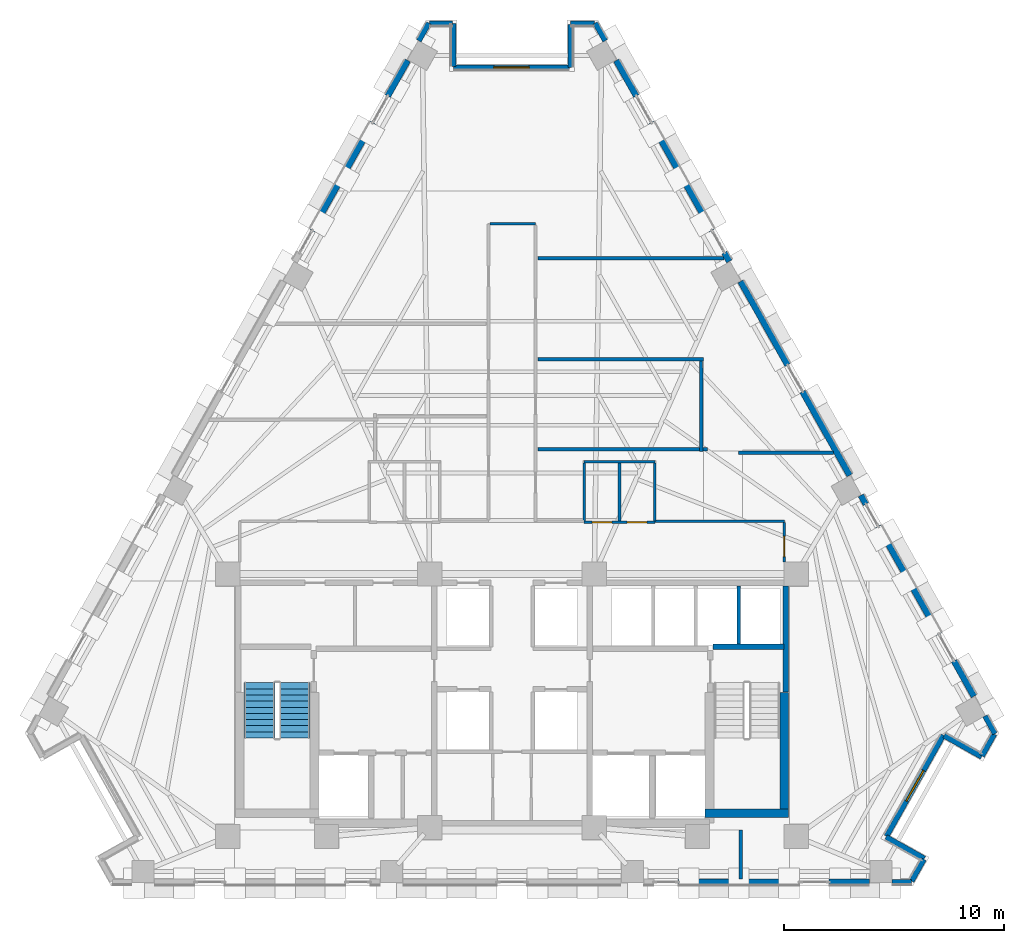
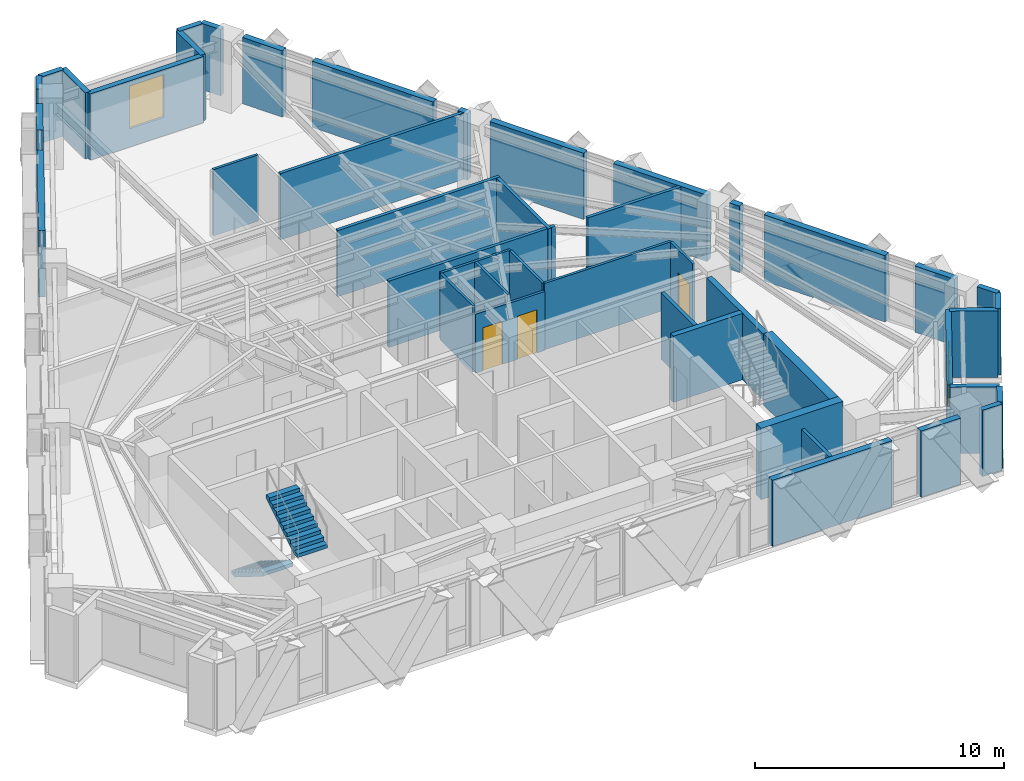
# One storey, part 9 of 14: 46 walls, 3 doors, 2 stair flights, 2 windows, 5 openings, 1 element without a shape of its own.
"""IFC4 building model written with IfcOpenShell, lengths in metres."""

from ifc_helpers import new_model, si_unit, direction, frame, frame_2d, origin, place, context, subcontext, project, spatial, polyline, rectangle, outline, extrude, material, layer, layer_set, type_object, element, fill, aggregate, save


model = new_model("IFC4")

# Units and contexts
model_context = context("Model", 3, precision=1e-05, world=origin(), true_north=direction((0.0, 1.0)))
body_context = subcontext(model_context, "Body", "Model", "MODEL_VIEW")
ifc_project = project(units=[si_unit("LENGTHUNIT", "METRE"), si_unit("AREAUNIT", "SQUARE_METRE"), si_unit("VOLUMEUNIT", "CUBIC_METRE"), si_unit("PLANEANGLEUNIT", "RADIAN"), si_unit("MASSUNIT", "GRAM", prefix="KILO")], contexts=[model_context])

# Site, building, storey
site_placement = place(None, origin())
site = spatial("IfcSite", under=ifc_project, at=site_placement, CompositionType="ELEMENT")
building_placement = place(site_placement, origin())
building = spatial("IfcBuilding", under=site, at=building_placement, Name="Quenlor Broadcast Tower", CompositionType="ELEMENT")
storey_placement = place(building_placement, frame((0.0, 0.0, 140.5)))
storey = spatial("IfcBuildingStorey", under=building, at=storey_placement, Name="L38", CompositionType="ELEMENT", Elevation=140.5)

# Walls
ifc_material_1 = material(Name="Acoustic Double Stud Gypsum Partition", Category="other")
ifc_layer_1 = layer(ifc_material_1, 0.14990234375)
ifc_layer_set_1 = layer_set([ifc_layer_1], Name="Broadcast Studio Acoustic Partition 150")
wall_type_1 = type_object("IfcWallType", Name="Broadcast Studio Acoustic Partition 150", PredefinedType="PARTITIONING", material=ifc_layer_set_1)
wall_1_placement = place(storey_placement, frame((9.66015625, 9.580078125, 0.0), z_axis=(0.0, 0.0, 1.0), x_axis=(-1.0, 0.0, 0.0)))
element("IfcWall", 1, at=wall_1_placement, inside=storey, type_object=wall_type_1, Name="L38 Interior Wall PW-DV-01", PredefinedType="PARTITIONING", context=body_context, shape_type="SweptSolid", body=[
    extrude(rectangle(XDim=8.480224609375, YDim=0.14990234375, at=frame_2d((4.240234375, 0.0))), origin(), (0.0, 0.0, 1.0), 3.25),
])
wall_2_placement = place(storey_placement, frame((8.713623046875, 4.97998046875, 0.0), z_axis=(0.0, 0.0, 1.0), x_axis=(-1.0, 0.0, 0.0)))
element("IfcWall", 2, at=wall_2_placement, inside=storey, type_object=wall_type_1, Name="L38 Interior Wall PW-DV-03", PredefinedType="PARTITIONING", context=body_context, shape_type="SweptSolid", body=[
    extrude(rectangle(XDim=7.53369140625, YDim=0.14990234375, at=frame_2d((3.766845703125, 0.0))), origin(), (0.0, 0.0, 1.0), 3.25),
])
wall_3_placement = place(storey_placement, frame((8.624755859375, 0.780029296875, 0.0), z_axis=(0.0, 0.0, 1.0), x_axis=(-0.002664604467, 0.999996449935, 0.0)))
element("IfcWall", 3, at=wall_3_placement, inside=storey, type_object=wall_type_1, Name="L38 Interior Wall PW-DV-04", PredefinedType="PARTITIONING", context=body_context, shape_type="SweptSolid", body=[
    extrude(rectangle(XDim=4.123046875, YDim=0.14990234375, at=frame_2d((2.0615234375, 0.0))), origin(), (0.0, 0.0, 1.0), 3.25),
])
wall_4_placement = place(storey_placement, frame((14.63818359375, 0.72998046875, 0.0), z_axis=(0.0, 0.0, 1.0), x_axis=(-1.0, 0.0, 0.0)))
element("IfcWall", 4, at=wall_4_placement, inside=storey, type_object=wall_type_1, Name="L38 Interior Wall PW-DV-05", PredefinedType="PARTITIONING", context=body_context, shape_type="SweptSolid", body=[
    extrude(rectangle(XDim=4.31298828125, YDim=0.14990234375, at=frame_2d((2.156494140625, 0.0))), origin(), (0.0, 0.0, 1.0), 3.25),
])
wall_5_placement = place(storey_placement, frame((8.89990234375, 0.8798828125, 0.0), z_axis=(0.0, 0.0, 1.0), x_axis=(-1.0, 0.0, 0.0)))
element("IfcWall", 5, at=wall_5_placement, inside=storey, type_object=wall_type_1, Name="L38 Interior Wall PW-DV-08", PredefinedType="PARTITIONING", context=body_context, shape_type="SweptSolid", body=[
    extrude(rectangle(XDim=0.198486328125, YDim=0.14990234375, at=frame_2d((0.09912109375, 0.0))), origin(), (0.0, 0.0, 1.0), 3.25),
])
wall_6_placement = place(storey_placement, frame((8.547607421875, 0.8798828125, 0.0), z_axis=(0.0, 0.0, 1.0), x_axis=(-1.0, 0.0, 0.0)))
element("IfcWall", 6, at=wall_6_placement, inside=storey, type_object=wall_type_1, Name="L38 Interior Wall PW-DV-08S2", PredefinedType="PARTITIONING", context=body_context, shape_type="SweptSolid", body=[
    extrude(rectangle(XDim=7.36767578125, YDim=0.14990234375, at=frame_2d((3.683837890625, 0.0))), origin(), (0.0, 0.0, 1.0), 3.25),
])
wall_7_placement = place(storey_placement, frame((10.42529296875, -18.68310546875, 0.0), z_axis=(0.0, 0.0, 1.0), x_axis=(0.0, 1.0, 0.0)))
element("IfcWall", 7, at=wall_7_placement, inside=storey, type_object=wall_type_1, Name="L38 Interior Wall PW-DV-10", PredefinedType="PARTITIONING", context=body_context, shape_type="SweptSolid", body=[
    extrude(rectangle(XDim=2.233154296875, YDim=0.14990234375, at=frame_2d((1.11669921875, 0.0))), origin(), (0.0, 0.0, 1.0), 3.25),
])
ifc_material_2 = material(Name="Concrete C50/60", Category="concrete")
ifc_layer_2 = layer(ifc_material_2, 0.39990234375)
ifc_layer_set_2 = layer_set([ifc_layer_2], Name="Core Concrete C50/60 Shear Wall 400")
wall_type_2 = type_object("IfcWallType", Name="Core Concrete C50/60 Shear Wall 400", PredefinedType="SHEAR", material=ifc_layer_set_2)
wall_8_placement = place(storey_placement, frame((8.800048828125, -15.699951171875, 0.0), z_axis=(0.0, 0.0, 1.0), x_axis=(1.0, 0.0, 0.0)))
element("IfcWall", 8, at=wall_8_placement, inside=storey, type_object=wall_type_2, Name="L38 Core Shear Wall WS-E2", PredefinedType="SHEAR", context=body_context, shape_type="SweptSolid", body=[
    extrude(rectangle(XDim=3.800048828125, YDim=0.39990234375, at=frame_2d((1.89990234375, 0.0))), origin(), (0.0, 0.0, 1.0), 3.5),
])
wall_9_placement = place(storey_placement, frame((12.39990234375, -15.699951171875, 0.0), z_axis=(0.0, 0.0, 1.0), x_axis=(0.0, 1.0, 0.0)))
element("IfcWall", 9, at=wall_9_placement, inside=storey, type_object=wall_type_2, Name="L38 Core Shear Wall WF-E", PredefinedType="SHEAR", context=body_context, shape_type="SweptSolid", body=[
    extrude(rectangle(XDim=5.5, YDim=0.39990234375, at=frame_2d((2.75, 0.0))), origin(), (0.0, 0.0, 1.0), 3.5),
])
ifc_material_3 = material(Name="Concrete C40/50", Category="concrete")
ifc_layer_3 = layer(ifc_material_3, 0.25)
ifc_layer_set_3 = layer_set([ifc_layer_3], Name="Fire Rated Concrete C40/50 Core Wall 250")
wall_type_3 = type_object("IfcWallType", Name="Fire Rated Concrete C40/50 Core Wall 250", PredefinedType="PARTITIONING", material=ifc_layer_set_3)
wall_10_placement = place(storey_placement, frame((9.159912109375, -8.1201171875, 0.0), z_axis=(0.0, 0.0, 1.0), x_axis=(1.0, 0.0, 0.0)))
element("IfcWall", 10, at=wall_10_placement, inside=storey, type_object=wall_type_3, Name="L38 Interior Wall CW-ST2-N", PredefinedType="PARTITIONING", context=body_context, shape_type="SweptSolid", body=[
    extrude(rectangle(XDim=3.219970703125, YDim=0.25, at=frame_2d((1.60986328125, 0.0))), origin(), (0.0, 0.0, 1.0), 3.25),
])
wall_11_placement = place(storey_placement, frame((12.47998046875, -10.179931640625, 0.0), z_axis=(0.0, 0.0, 1.0), x_axis=(0.0, 1.0, 0.0)))
element("IfcWall", 11, at=wall_11_placement, inside=storey, type_object=wall_type_3, Name="L38 Interior Wall CW-ST2-E2", PredefinedType="PARTITIONING", context=body_context, shape_type="SweptSolid", body=[
    extrude(rectangle(XDim=4.827880859375, YDim=0.25, at=frame_2d((2.4140625, 0.0))), origin(), (0.0, 0.0, 1.0), 3.25),
])
ifc_material_4 = material(Name="Gypsum Fireboard Partition", Category="other")
ifc_layer_4 = layer(ifc_material_4, 0.159912109375)
ifc_layer_set_4 = layer_set([ifc_layer_4], Name="Fire Rated Shaft and Corridor Partition 160")
wall_type_4 = type_object("IfcWallType", Name="Fire Rated Shaft and Corridor Partition 160", PredefinedType="PARTITIONING", material=ifc_layer_set_4)
wall_12_placement = place(storey_placement, frame((10.324951171875, -7.992919921875, 0.0), z_axis=(0.0, 0.0, 1.0), x_axis=(0.0, 1.0, 0.0)))
element("IfcWall", 12, at=wall_12_placement, inside=storey, type_object=wall_type_4, Name="L38 Interior Wall CW-PLH-D3", PredefinedType="PARTITIONING", context=body_context, shape_type="SweptSolid", body=[
    extrude(rectangle(XDim=2.65283203125, YDim=0.159912109375, at=frame_2d((1.326416015625, 0.0))), origin(), (0.0, 0.0, 1.0), 3.25),
])

# Wall, openings, doors
ifc_material_5 = material(Name="Gypsum Plasterboard Partition", Category="other")
ifc_layer_5 = layer(ifc_material_5, 0.1201171875)
ifc_layer_set_5 = layer_set([ifc_layer_5], Name="Standard Office Partition 120")
wall_type_5 = type_object("IfcWallType", Name="Standard Office Partition 120", PredefinedType="PARTITIONING", material=ifc_layer_set_5)
wall_13_placement = place(storey_placement, frame((3.2900390625, -2.43994140625, 0.0), z_axis=(0.0, 0.0, 1.0), x_axis=(1.0, 0.0, 0.0)))
wall_13 = element("IfcWall", 13, at=wall_13_placement, inside=storey, type_object=wall_type_5, Name="L38 Interior Wall PW-WCE-S", PredefinedType="PARTITIONING", context=body_context, shape_type="SweptSolid", body=[
    extrude(rectangle(XDim=3.219970703125, YDim=0.1201171875, at=frame_2d((1.60986328125, 0.0))), origin(), (0.0, 0.0, 1.0), 2.891357421875),
])
opening_1_placement = place(wall_13_placement, frame((0.360107421875, 0.0, 0.0)))
opening_1 = element("IfcOpeningElement", 14, at=opening_1_placement, cuts=wall_13, Name="Opening ID-3", PredefinedType="OPENING", context=body_context, shape_type="SweptSolid", body=[
    extrude(rectangle(XDim=0.89990234375, YDim=2.1201171875, at=frame_2d((0.449951171875, 1.06005859375))), frame((0.0, 0.070068359375, 0.0), z_axis=(0.0, -1.0, 0.0), x_axis=(1.0, 0.0, 0.0)), (0.0, 0.0, 1.0), 0.14013671875),
])
opening_2_placement = place(wall_13_placement, frame((1.9599609375, 0.0, 0.0)))
opening_2 = element("IfcOpeningElement", 15, at=opening_2_placement, cuts=wall_13, Name="Opening ID-3", PredefinedType="OPENING", context=body_context, shape_type="SweptSolid", body=[
    extrude(rectangle(XDim=0.89990234375, YDim=2.1201171875, at=frame_2d((0.449951171875, 1.06005859375))), frame((0.0, 0.070068359375, 0.0), z_axis=(0.0, -1.0, 0.0), x_axis=(1.0, 0.0, 0.0)), (0.0, 0.0, 1.0), 0.14013671875),
])
ifc_material_6 = material(Name="Moisture Resistant Timber Oak", Category="wood")
door_type_1 = type_object("IfcDoorType", Name="Washroom Privacy Door 900x2120", OperationType="NOTDEFINED", PredefinedType="DOOR", material=ifc_material_6)
door_1_placement = place(opening_1_placement, origin())
door_1 = element("IfcDoor", 16, at=door_1_placement, inside=storey, type_object=door_type_1, Name="L38 Door DR-MWC", OperationType="SINGLE_SWING_LEFT", OverallHeight=2.1201171875, OverallWidth=0.89990234375, PredefinedType="DOOR", context=body_context, shape_type="SweptSolid", body=[
    extrude(rectangle(XDim=0.89990234375, YDim=2.1201171875, at=frame_2d((0.449951171875, 1.06005859375))), frame((0.0, 0.02490234375, 0.0), z_axis=(0.0, -1.0, 0.0), x_axis=(1.0, 0.0, 0.0)), (0.0, 0.0, 1.0), 0.050048828125),
])
fill(opening_1, door_1)
door_2_placement = place(opening_2_placement, origin())
door_2 = element("IfcDoor", 17, at=door_2_placement, inside=storey, type_object=door_type_1, Name="L38 Door DR-FWC", OperationType="SINGLE_SWING_RIGHT", OverallHeight=2.1201171875, OverallWidth=0.89990234375, PredefinedType="DOOR", context=body_context, shape_type="SweptSolid", body=[
    extrude(rectangle(XDim=0.89990234375, YDim=2.1201171875, at=frame_2d((0.449951171875, 1.06005859375))), frame((0.0, 0.02490234375, 0.0), z_axis=(0.0, -1.0, 0.0), x_axis=(1.0, 0.0, 0.0)), (0.0, 0.0, 1.0), 0.050048828125),
])
fill(opening_2, door_2)

# Walls
wall_14_placement = place(storey_placement, frame((3.2900390625, 0.31005859375, 0.0), z_axis=(0.0, 0.0, 1.0), x_axis=(1.0, 0.0, 0.0)))
element("IfcWall", 18, at=wall_14_placement, inside=storey, type_object=wall_type_5, Name="L38 Interior Wall PW-WCE-N", PredefinedType="PARTITIONING", context=body_context, shape_type="SweptSolid", body=[
    extrude(rectangle(XDim=3.219970703125, YDim=0.1201171875, at=frame_2d((1.60986328125, 0.0))), origin(), (0.0, 0.0, 1.0), 3.25),
])
for number, where, z_axis, x_axis, name in (
    (19, (3.2900390625, -2.3779296875, 0.0), (0.0, 0.0, 1.0), (0.0, 1.0, 0.0), "L38 Interior Wall PW-WCE-W"),
    (20, (4.89990234375, -2.3779296875, 0.0), (0.0, 0.0, 1.0), (0.0, 1.0, 0.0), "L38 Interior Wall PW-WCE-M"),
    (21, (6.510009765625, -2.3779296875, 0.0), (0.0, 0.0, 1.0), (0.0, 1.0, 0.0), "L38 Interior Wall PW-WCE-E"),
):
    element("IfcWall", number, at=place(storey_placement, frame(where, z_axis=z_axis, x_axis=x_axis)), inside=storey, type_object=wall_type_5, Name=name, PredefinedType="PARTITIONING", context=body_context, shape_type="SweptSolid", body=[
        extrude(rectangle(XDim=2.6259765625, YDim=0.1201171875, at=frame_2d((1.31298828125, 0.0))), origin(), (0.0, 0.0, 1.0), 3.25),
    ])
wall_15_placement = place(storey_placement, frame((-1.008056640625, 11.14990234375, 0.0), z_axis=(0.0, 0.0, 1.0), x_axis=(1.0, 0.0, 0.0)))
element("IfcWall", 22, at=wall_15_placement, inside=storey, type_object=wall_type_5, Name="L38 Interior Wall PW-CR-04", PredefinedType="PARTITIONING", context=body_context, shape_type="SweptSolid", body=[
    extrude(rectangle(XDim=2.078125, YDim=0.1201171875, at=frame_2d((1.0390625, 0.0))), origin(), (0.0, 0.0, 1.0), 3.25),
])
wall_16_placement = place(storey_placement, frame((6.511962890625, -2.39990234375, 0.0), z_axis=(0.0, 0.0, 1.0), x_axis=(1.0, 0.0, 0.0)))
element("IfcWall", 23, at=wall_16_placement, inside=storey, type_object=wall_type_5, Name="L38 Interior Wall PW-CR-06S2", PredefinedType="PARTITIONING", context=body_context, shape_type="SweptSolid", body=[
    extrude(rectangle(XDim=5.89794921875, YDim=0.1201171875, at=frame_2d((2.948974609375, 0.0))), origin(), (0.0, 0.0, 1.0), 3.25),
])

# Wall, opening, door
wall_17_placement = place(storey_placement, frame((12.409912109375, -2.4619140625, 0.0), z_axis=(0.0, 0.0, 1.0), x_axis=(0.0, -1.0, 0.0)))
wall_17 = element("IfcWall", 24, at=wall_17_placement, inside=storey, type_object=wall_type_5, Name="L38 Interior Wall PW-CR-07", PredefinedType="PARTITIONING", context=body_context, shape_type="SweptSolid", body=[
    extrude(rectangle(XDim=1.7861328125, YDim=0.1201171875, at=frame_2d((0.89306640625, 0.0))), origin(), (0.0, 0.0, 1.0), 3.25),
])
opening_3_placement = place(wall_17_placement, frame((0.623046875, 0.0, 0.0)))
opening_3 = element("IfcOpeningElement", 25, at=opening_3_placement, cuts=wall_17, Name="Opening ID-1", PredefinedType="OPENING", context=body_context, shape_type="SweptSolid", body=[
    extrude(rectangle(XDim=0.919921875, YDim=2.1201171875, at=frame_2d((0.4599609375, 1.06005859375))), frame((0.0, 0.070068359375, 0.0), z_axis=(0.0, -1.0, 0.0), x_axis=(1.0, 0.0, 0.0)), (0.0, 0.0, 1.0), 0.14013671875),
])
ifc_material_7 = material(Name="Solid Core Timber Oak", Category="wood")
door_type_2 = type_object("IfcDoorType", Name="Single Leaf Timber Office Door 920x2120", OperationType="NOTDEFINED", PredefinedType="DOOR", material=ifc_material_7)
door_3_placement = place(opening_3_placement, origin())
door_3 = element("IfcDoor", 26, at=door_3_placement, inside=storey, type_object=door_type_2, Name="L38 Door DR-RM07", OperationType="SINGLE_SWING_LEFT", OverallHeight=2.1201171875, OverallWidth=0.919921875, PredefinedType="DOOR", context=body_context, shape_type="SweptSolid", body=[
    extrude(rectangle(XDim=0.919921875, YDim=2.1201171875, at=frame_2d((0.4599609375, 1.06005859375))), frame((0.0, 0.02490234375, 0.0), z_axis=(0.0, -1.0, 0.0), x_axis=(1.0, 0.0, 0.0)), (0.0, 0.0, 1.0), 0.050048828125),
])
fill(opening_3, door_3)

# Walls
ifc_material_8 = material(Name="Precast concrete C40/50", Category="concrete")
ifc_layer_6 = layer(ifc_material_8, 0.239990234375)
ifc_layer_set_6 = layer_set([ifc_layer_6], Name="Terrace Threshold Precast Concrete C40/50 Wall 240")
wall_type_6 = type_object("IfcWallType", Name="Terrace Threshold Precast Concrete C40/50 Wall 240", PredefinedType="STANDARD", material=ifc_layer_set_6)
wall_18_placement = place(storey_placement, frame((18.2099609375, -18.824951171875, 0.0), z_axis=(0.0, 0.0, 1.0), x_axis=(-1.0, 0.0, 0.0)))
element("IfcWall", 27, at=wall_18_placement, inside=storey, type_object=wall_type_6, Name="L38 Exterior Wall L38-SHD-SS0", PredefinedType="STANDARD", context=body_context, shape_type="SweptSolid", body=[
    extrude(rectangle(XDim=0.896484375, YDim=0.239990234375, at=frame_2d((0.4482421875, 0.0))), origin(), (0.0, 0.0, 1.0), 3.25),
])
wall_19_placement = place(storey_placement, frame((3.7919921875, 20.302001953125, 0.0), z_axis=(0.0, 0.0, 1.0), x_axis=(0.490048346303, -0.871695255399, 0.0)))
element("IfcWall", 28, at=wall_19_placement, inside=storey, type_object=wall_type_6, Name="L38 Exterior Wall L38-SHD-NES0", PredefinedType="STANDARD", context=body_context, shape_type="SweptSolid", body=[
    extrude(rectangle(XDim=0.925537109375, YDim=0.239990234375, at=frame_2d((0.462890625, 0.0))), origin(), (0.0, 0.0, 1.0), 3.25),
])
wall_20_placement = place(storey_placement, frame((21.54931640625, -11.2666015625, 0.0), z_axis=(0.0, 0.0, 1.0), x_axis=(0.490248718924, -0.871582579905, 0.0)))
element("IfcWall", 29, at=wall_20_placement, inside=storey, type_object=wall_type_6, Name="L38 Exterior Wall L38-SHD-NES1", PredefinedType="STANDARD", context=body_context, shape_type="SweptSolid", body=[
    extrude(rectangle(XDim=0.92578125, YDim=0.239990234375, at=frame_2d((0.462890625, 0.0))), origin(), (0.0, 0.0, 1.0), 3.25),
])
wall_21_placement = place(storey_placement, frame((-4.24560546875, 19.4951171875, 0.0), z_axis=(0.0, 0.0, 1.0), x_axis=(0.490048346303, 0.871695255399, 0.0)))
element("IfcWall", 30, at=wall_21_placement, inside=storey, type_object=wall_type_6, Name="L38 Exterior Wall L38-SHD-NWS1", PredefinedType="STANDARD", context=body_context, shape_type="SweptSolid", body=[
    extrude(rectangle(XDim=0.925537109375, YDim=0.239990234375, at=frame_2d((0.462890625, 0.0))), origin(), (0.0, 0.0, 1.0), 3.25),
])
wall_22_placement = place(storey_placement, frame((18.783935546875, -17.760009765625, 0.0), z_axis=(0.0, 0.0, 1.0), x_axis=(-0.871536415941, 0.49033078191, 0.0)))
element("IfcWall", 31, at=wall_22_placement, inside=storey, type_object=wall_type_6, Name="L38 Exterior Wall L38-CNR-01", PredefinedType="STANDARD", context=body_context, shape_type="SweptSolid", body=[
    extrude(rectangle(XDim=2.0, YDim=0.239990234375, at=frame_2d((1.0, 0.0))), origin(), (0.0, 0.0, 1.0), 3.25),
])

# Wall, opening, window
wall_23_placement = place(storey_placement, frame((17.060302734375, -16.744384765625, 0.0), z_axis=(0.0, 0.0, 1.0), x_axis=(0.490276606961, 0.871566892824, 0.0)))
wall_23 = element("IfcWall", 32, at=wall_23_placement, inside=storey, type_object=wall_type_6, Name="L38 Exterior Wall L38-CNR-02", PredefinedType="STANDARD", context=body_context, shape_type="SweptSolid", body=[
    extrude(rectangle(XDim=5.280029296875, YDim=0.239990234375, at=frame_2d((2.64013671875, 0.0))), origin(), (0.0, 0.0, 1.0), 3.25),
])
opening_4_placement = place(wall_23_placement, frame((1.840087890625, 0.0, 0.89990234375)))
opening_4 = element("IfcOpeningElement", 33, at=opening_4_placement, cuts=wall_23, Name="Opening WN-2", PredefinedType="OPENING", context=body_context, shape_type="SweptSolid", body=[
    extrude(rectangle(XDim=1.60009765625, YDim=2.10009765625, at=frame_2d((0.800048828125, 1.050048828125))), frame((0.0, 0.1298828125, 0.0), z_axis=(0.0, -1.0, 0.0), x_axis=(1.0, 0.0, 0.0)), (0.0, 0.0, 1.0), 0.260009765625),
])
ifc_material_9 = material(Name="Thermally Broken Aluminium and Low-E Glass", Category="aluminium")
window_type = type_object("IfcWindowType", Name="Tower Studio Punched Window 1600x2100", PartitioningType="SINGLE_PANEL", PredefinedType="WINDOW", material=ifc_material_9)
window_1_placement = place(opening_4_placement, origin())
window_1 = element("IfcWindow", 34, at=window_1_placement, inside=storey, type_object=window_type, Name="L38 Corner Chamfer Window 2", OverallHeight=2.10009765625, OverallWidth=1.60009765625, PartitioningType="SINGLE_PANEL", PredefinedType="WINDOW", context=body_context, shape_type="SweptSolid", body=[
    extrude(rectangle(XDim=1.60009765625, YDim=2.10009765625, at=frame_2d((0.800048828125, 1.050048828125))), frame((0.0, 0.030029296875, 0.0), z_axis=(0.0, -1.0, 0.0), x_axis=(1.0, 0.0, 0.0)), (0.0, 0.0, 1.0), 0.06005859375),
])
fill(opening_4, window_1)

# Walls
wall_24_placement = place(storey_placement, frame((19.683837890625, -12.162109375, 0.0), z_axis=(0.0, 0.0, 1.0), x_axis=(0.871512328312, -0.490373593906, 0.0)))
element("IfcWall", 35, at=wall_24_placement, inside=storey, type_object=wall_type_6, Name="L38 Exterior Wall L38-CNR-03", PredefinedType="STANDARD", context=body_context, shape_type="SweptSolid", body=[
    extrude(rectangle(XDim=1.960205078125, YDim=0.239990234375, at=frame_2d((0.97998046875, 0.0))), origin(), (0.0, 0.0, 1.0), 3.25),
])
wall_25_placement = place(storey_placement, frame((21.411865234375, -13.08837890625, 0.0), z_axis=(0.0, 0.0, 1.0), x_axis=(0.4900989379, 0.871666811958, 0.0)))
element("IfcWall", 36, at=wall_25_placement, inside=storey, type_object=wall_type_6, Name="L38 Exterior Wall L38-CNR-04", PredefinedType="STANDARD", context=body_context, shape_type="SweptSolid", body=[
    extrude(rectangle(XDim=1.142822265625, YDim=0.239990234375, at=frame_2d((0.5712890625, 0.0))), origin(), (0.0, 0.0, 1.0), 3.25),
])
wall_26_placement = place(storey_placement, frame((3.761474609375, 20.280029296875, 0.0), z_axis=(0.0, 0.0, 1.0), x_axis=(-1.0, 0.0, 0.0)))
element("IfcWall", 37, at=wall_26_placement, inside=storey, type_object=wall_type_6, Name="L38 Exterior Wall L38-CNR-06", PredefinedType="STANDARD", context=body_context, shape_type="SweptSolid", body=[
    extrude(rectangle(XDim=1.1015625, YDim=0.239990234375, at=frame_2d((0.55078125, 0.0))), origin(), (0.0, 0.0, 1.0), 3.25),
])
wall_27_placement = place(storey_placement, frame((2.659912109375, 20.239990234375, 0.0), z_axis=(0.0, 0.0, 1.0), x_axis=(0.0, -1.0, 0.0)))
element("IfcWall", 38, at=wall_27_placement, inside=storey, type_object=wall_type_6, Name="L38 Exterior Wall L38-CNR-07", PredefinedType="STANDARD", context=body_context, shape_type="SweptSolid", body=[
    extrude(rectangle(XDim=1.9599609375, YDim=0.239990234375, at=frame_2d((0.97998046875, 0.0))), origin(), (0.0, 0.0, 1.0), 3.25),
])

# Wall, opening, window
wall_28_placement = place(storey_placement, frame((2.6201171875, 18.280029296875, 0.0), z_axis=(0.0, 0.0, 1.0), x_axis=(-1.0, 0.0, 0.0)))
wall_28 = element("IfcWall", 39, at=wall_28_placement, inside=storey, type_object=wall_type_6, Name="L38 Exterior Wall L38-CNR-08", PredefinedType="STANDARD", context=body_context, shape_type="SweptSolid", body=[
    extrude(rectangle(XDim=5.280029296875, YDim=0.239990234375, at=frame_2d((2.64013671875, 0.0))), origin(), (0.0, 0.0, 1.0), 3.25),
])
opening_5_placement = place(wall_28_placement, frame((1.840087890625, 0.0, 0.89990234375)))
opening_5 = element("IfcOpeningElement", 40, at=opening_5_placement, cuts=wall_28, Name="Opening WN-2", PredefinedType="OPENING", context=body_context, shape_type="SweptSolid", body=[
    extrude(rectangle(XDim=1.60009765625, YDim=2.10009765625, at=frame_2d((0.800048828125, 1.050048828125))), frame((0.0, 0.1298828125, 0.0), z_axis=(0.0, -1.0, 0.0), x_axis=(1.0, 0.0, 0.0)), (0.0, 0.0, 1.0), 0.260009765625),
])
window_2_placement = place(opening_5_placement, origin())
window_2 = element("IfcWindow", 41, at=window_2_placement, inside=storey, type_object=window_type, Name="L38 Corner Chamfer Window 8", OverallHeight=2.10009765625, OverallWidth=1.60009765625, PartitioningType="SINGLE_PANEL", PredefinedType="WINDOW", context=body_context, shape_type="SweptSolid", body=[
    extrude(rectangle(XDim=1.60009765625, YDim=2.10009765625, at=frame_2d((0.800048828125, 1.050048828125))), frame((0.0, 0.030029296875, 0.0), z_axis=(0.0, -1.0, 0.0), x_axis=(1.0, 0.0, 0.0)), (0.0, 0.0, 1.0), 0.06005859375),
])
fill(opening_5, window_2)

# Walls
wall_29_placement = place(storey_placement, frame((-2.659912109375, 18.320068359375, 0.0), z_axis=(0.0, 0.0, 1.0), x_axis=(0.0, 1.0, 0.0)))
element("IfcWall", 42, at=wall_29_placement, inside=storey, type_object=wall_type_6, Name="L38 Exterior Wall L38-CNR-09", PredefinedType="STANDARD", context=body_context, shape_type="SweptSolid", body=[
    extrude(rectangle(XDim=1.9599609375, YDim=0.239990234375, at=frame_2d((0.97998046875, 0.0))), origin(), (0.0, 0.0, 1.0), 3.25),
])
wall_30_placement = place(storey_placement, frame((-2.699951171875, 20.280029296875, 0.0), z_axis=(0.0, 0.0, 1.0), x_axis=(-1.0, 0.0, 0.0)))
element("IfcWall", 43, at=wall_30_placement, inside=storey, type_object=wall_type_6, Name="L38 Exterior Wall L38-CNR-10", PredefinedType="STANDARD", context=body_context, shape_type="SweptSolid", body=[
    extrude(rectangle(XDim=1.0615234375, YDim=0.239990234375, at=frame_2d((0.53076171875, 0.0))), origin(), (0.0, 0.0, 1.0), 3.25),
])
wall_31_placement = place(storey_placement, frame((18.205810546875, -18.78759765625, 0.0), z_axis=(0.0, 0.0, 1.0), x_axis=(0.490403700594, 0.871495387506, 0.0)))
element("IfcWall", 44, at=wall_31_placement, inside=storey, type_object=wall_type_6, Name="L38 Exterior Wall L38-CNR-18", PredefinedType="STANDARD", context=body_context, shape_type="SweptSolid", body=[
    extrude(rectangle(XDim=1.13916015625, YDim=0.239990234375, at=frame_2d((0.569580078125, 0.0))), origin(), (0.0, 0.0, 1.0), 3.25),
])
ifc_material_10 = material(Name="Precast concrete C40/50", Category="concrete")
ifc_layer_7 = layer(ifc_material_10, 0.280029296875)
ifc_layer_set_7 = layer_set([ifc_layer_7], Name="Terracotta Precast Concrete C40/50 Facade Wall 280")
wall_type_7 = type_object("IfcWallType", Name="Terracotta Precast Concrete C40/50 Facade Wall 280", PredefinedType="STANDARD", material=ifc_layer_set_7)
wall_32_placement = place(storey_placement, frame((16.283447265625, -18.824951171875, 0.0), z_axis=(0.0, 0.0, 1.0), x_axis=(-1.0, 0.0, 0.0)))
element("IfcWall", 45, at=wall_32_placement, inside=storey, type_object=wall_type_7, Name="L38 Exterior Wall L38-SA-SP1", PredefinedType="STANDARD", context=body_context, shape_type="SweptSolid", body=[
    extrude(rectangle(XDim=1.83837890625, YDim=0.280029296875, at=frame_2d((0.919189453125, 0.0))), origin(), (0.0, 0.0, 1.0), 3.25),
])
wall_33_placement = place(storey_placement, frame((13.10693359375, -18.824951171875, 0.0), z_axis=(0.0, 0.0, 1.0), x_axis=(-1.0, 0.0, 0.0)))
element("IfcWall", 46, at=wall_33_placement, inside=storey, type_object=wall_type_7, Name="L38 Exterior Wall L38-SA-SP2", PredefinedType="STANDARD", context=body_context, shape_type="SweptSolid", body=[
    extrude(rectangle(XDim=5.550048828125, YDim=0.280029296875, at=frame_2d((2.77490234375, 0.0))), origin(), (0.0, 0.0, 1.0), 3.25),
])
wall_34_placement = place(storey_placement, frame((4.750732421875, 18.597412109375, 0.0), z_axis=(0.0, 0.0, 1.0), x_axis=(0.490248749158, -0.871582562899, 0.0)))
element("IfcWall", 47, at=wall_34_placement, inside=storey, type_object=wall_type_7, Name="L38 Exterior Wall L38-NEA-SP1", PredefinedType="STANDARD", context=body_context, shape_type="SweptSolid", body=[
    extrude(rectangle(XDim=1.85595703125, YDim=0.280029296875, at=frame_2d((0.927978515625, 0.0))), origin(), (0.0, 0.0, 1.0), 3.25),
])
wall_35_placement = place(storey_placement, frame((6.342041015625, 15.768310546875, 0.0), z_axis=(0.0, 0.0, 1.0), x_axis=(0.490289995219, -0.871559361483, 0.0)))
element("IfcWall", 48, at=wall_35_placement, inside=storey, type_object=wall_type_7, Name="L38 Exterior Wall L38-NEA-SP2", PredefinedType="STANDARD", context=body_context, shape_type="SweptSolid", body=[
    extrude(rectangle(XDim=5.643310546875, YDim=0.280029296875, at=frame_2d((2.82177734375, 0.0))), origin(), (0.0, 0.0, 1.0), 3.25),
])
for number, where, z_axis, x_axis, name in (
    (49, (9.674072265625, 9.8447265625, 0.0), (0.0, 0.0, 1.0), (0.490412424957, -0.871490478116, 0.0), "L38 Exterior Wall L38-NEA-SP3"),
    (50, (15.8955078125, -1.21533203125, 0.0), (0.0, 0.0, 1.0), (0.490009165718, -0.871717280724, 0.0), "L38 Exterior Wall L38-NEC-SP1"),
):
    element("IfcWall", number, at=place(storey_placement, frame(where, z_axis=z_axis, x_axis=x_axis)), inside=storey, type_object=wall_type_7, Name=name, PredefinedType="STANDARD", context=body_context, shape_type="SweptSolid", body=[
        extrude(rectangle(XDim=0.4599609375, YDim=0.280029296875, at=frame_2d((0.22998046875, 0.0))), origin(), (0.0, 0.0, 1.0), 3.25),
    ])
wall_36_placement = place(storey_placement, frame((16.686279296875, -2.621337890625, 0.0), z_axis=(0.0, 0.0, 1.0), x_axis=(0.490238645956, -0.871588245682, 0.0)))
element("IfcWall", 51, at=wall_36_placement, inside=storey, type_object=wall_type_7, Name="L38 Exterior Wall L38-NEC-SP2", PredefinedType="STANDARD", context=body_context, shape_type="SweptSolid", body=[
    extrude(rectangle(XDim=5.643310546875, YDim=0.280029296875, at=frame_2d((2.82177734375, 0.0))), origin(), (0.0, 0.0, 1.0), 3.25),
])
wall_37_placement = place(storey_placement, frame((20.13427734375, -8.751220703125, 0.0), z_axis=(0.0, 0.0, 1.0), x_axis=(0.490248749158, -0.871582562899, 0.0)))
element("IfcWall", 52, at=wall_37_placement, inside=storey, type_object=wall_type_7, Name="L38 Exterior Wall L38-NEC-SP3", PredefinedType="STANDARD", context=body_context, shape_type="SweptSolid", body=[
    extrude(rectangle(XDim=1.85595703125, YDim=0.280029296875, at=frame_2d((0.927978515625, 0.0))), origin(), (0.0, 0.0, 1.0), 3.25),
])
wall_38_placement = place(storey_placement, frame((10.411865234375, 8.532958984375, 0.0), z_axis=(0.0, 0.0, 1.0), x_axis=(0.490274486291, -0.871568085747, 0.0)))
element("IfcWall", 53, at=wall_38_placement, inside=storey, type_object=wall_type_7, Name="L38 Exterior Wall L38-NE-SP1", PredefinedType="STANDARD", context=body_context, shape_type="SweptSolid", body=[
    extrude(rectangle(XDim=4.375244140625, YDim=0.280029296875, at=frame_2d((2.1875, 0.0))), origin(), (0.0, 0.0, 1.0), 3.25),
])
wall_39_placement = place(storey_placement, frame((13.23828125, 3.508544921875, 0.0), z_axis=(0.0, 0.0, 1.0), x_axis=(0.490232095789, -0.871591929895, 0.0)))
element("IfcWall", 54, at=wall_39_placement, inside=storey, type_object=wall_type_7, Name="L38 Exterior Wall L38-NE-SP2", PredefinedType="STANDARD", context=body_context, shape_type="SweptSolid", body=[
    extrude(rectangle(XDim=4.375, YDim=0.280029296875, at=frame_2d((2.1875, 0.0))), origin(), (0.0, 0.0, 1.0), 3.25),
])
wall_40_placement = place(storey_placement, frame((-9.10888671875, 10.849853515625, 0.0), z_axis=(0.0, 0.0, 1.0), x_axis=(0.490289995219, 0.871559361483, 0.0)))
element("IfcWall", 55, at=wall_40_placement, inside=storey, type_object=wall_type_7, Name="L38 Exterior Wall L38-NWC-SP2", PredefinedType="STANDARD", context=body_context, shape_type="SweptSolid", body=[
    extrude(rectangle(XDim=5.643310546875, YDim=0.280029296875, at=frame_2d((2.82177734375, 0.0))), origin(), (0.0, 0.0, 1.0), 3.25),
])
wall_41_placement = place(storey_placement, frame((-5.66064453125, 16.979736328125, 0.0), z_axis=(0.0, 0.0, 1.0), x_axis=(0.490248749158, 0.871582562899, 0.0)))
element("IfcWall", 56, at=wall_41_placement, inside=storey, type_object=wall_type_7, Name="L38 Exterior Wall L38-NWC-SP3", PredefinedType="STANDARD", context=body_context, shape_type="SweptSolid", body=[
    extrude(rectangle(XDim=1.85595703125, YDim=0.280029296875, at=frame_2d((0.927978515625, 0.0))), origin(), (0.0, 0.0, 1.0), 3.25),
])

# Stair, stair flights
ifc_material_11 = material(Name="Precast concrete C40/50", Category="concrete")
stair_type = type_object("IfcStairType", Name="Precast Concrete C40/50 Dogleg Stair H350", PredefinedType="HALF_TURN_STAIR", material=ifc_material_11)
stair_placement = place(storey_placement, origin())
stair = element("IfcStair", 57, at=stair_placement, inside=storey, type_object=stair_type, Name="L38 West Core Fire-Isolated Exit Stair ST-1", PredefinedType="HALF_TURN_STAIR")
ifc_material_12 = material(Name="Precast concrete C40/50", Category="concrete")
ifc_layer_8 = layer(ifc_material_12, 0.159912109375)
ifc_layer_set_8 = layer_set([ifc_layer_8], Name="Precast Concrete C40/50 Stair Flight H350")
stair_flight_type = type_object("IfcStairFlightType", Name="Precast Concrete C40/50 Stair Flight H350", PredefinedType="STRAIGHT", material=ifc_layer_set_8)
stair_flight_1_placement = place(storey_placement, frame((-11.5, -9.75, 0.0), z_axis=(0.0, 0.0, 1.0), x_axis=(0.0, -1.0, 0.0)))
stair_flight_1 = element("IfcStairFlight", 58, at=stair_flight_1_placement, type_object=stair_flight_type, Name="ST-1 flight 1", NumberOfRisers=10, NumberOfTreads=9, PredefinedType="STRAIGHT", RiserHeight=0.175, TreadLength=0.28, context=body_context, shape_type="SweptSolid", body=[
    extrude(outline(polyline([(0.0, 0.0), (0.0, 0.175048828125), (0.280029296875, 0.175048828125), (0.280029296875, 0.35009765625), (0.56005859375, 0.35009765625), (0.56005859375, 0.52490234375), (0.840087890625, 0.52490234375), (0.840087890625, 0.699951171875), (1.1201171875, 0.699951171875), (1.1201171875, 0.875), (1.39990234375, 0.875), (1.39990234375, 1.050048828125), (1.679931640625, 1.050048828125), (1.679931640625, 1.22509765625), (1.9599609375, 1.22509765625), (1.9599609375, 1.39990234375), (2.239990234375, 1.39990234375), (2.239990234375, 1.574951171875), (2.52001953125, 1.574951171875), (2.52001953125, 1.75), (2.52001953125, 1.398193359375), (0.28271484375, 0.0), (0.0, 0.0)])), frame((0.0, 0.699951171875, 0.0), z_axis=(0.0, -1.0, 0.0), x_axis=(1.0, 0.0, 0.0)), (0.0, 0.0, 1.0), 1.39990234375),
])
stair_flight_2_placement = place(storey_placement, frame((-9.89990234375, -12.27001953125, 1.75), z_axis=(0.0, 0.0, 1.0), x_axis=(0.0, 1.0, 0.0)))
stair_flight_2 = element("IfcStairFlight", 59, at=stair_flight_2_placement, type_object=stair_flight_type, Name="ST-1 flight 2", NumberOfRisers=10, NumberOfTreads=9, PredefinedType="STRAIGHT", RiserHeight=0.175, TreadLength=0.28, context=body_context, shape_type="SweptSolid", body=[
    extrude(outline(polyline([(0.0, 0.0), (0.0, 0.175048828125), (0.280029296875, 0.175048828125), (0.280029296875, 0.35009765625), (0.56005859375, 0.35009765625), (0.56005859375, 0.52490234375), (0.840087890625, 0.52490234375), (0.840087890625, 0.699951171875), (1.1201171875, 0.699951171875), (1.1201171875, 0.875), (1.39990234375, 0.875), (1.39990234375, 1.050048828125), (1.679931640625, 1.050048828125), (1.679931640625, 1.22509765625), (1.9599609375, 1.22509765625), (1.9599609375, 1.39990234375), (2.239990234375, 1.39990234375), (2.239990234375, 1.574951171875), (2.52001953125, 1.574951171875), (2.52001953125, 1.75), (2.52001953125, 1.398193359375), (0.28271484375, 0.0), (0.0, 0.0)])), frame((0.0, 0.699951171875, 0.0), z_axis=(0.0, -1.0, 0.0), x_axis=(1.0, 0.0, 0.0)), (0.0, 0.0, 1.0), 1.39990234375),
])
aggregate(stair, [stair_flight_1, stair_flight_2])

save(model, "model.ifc")
